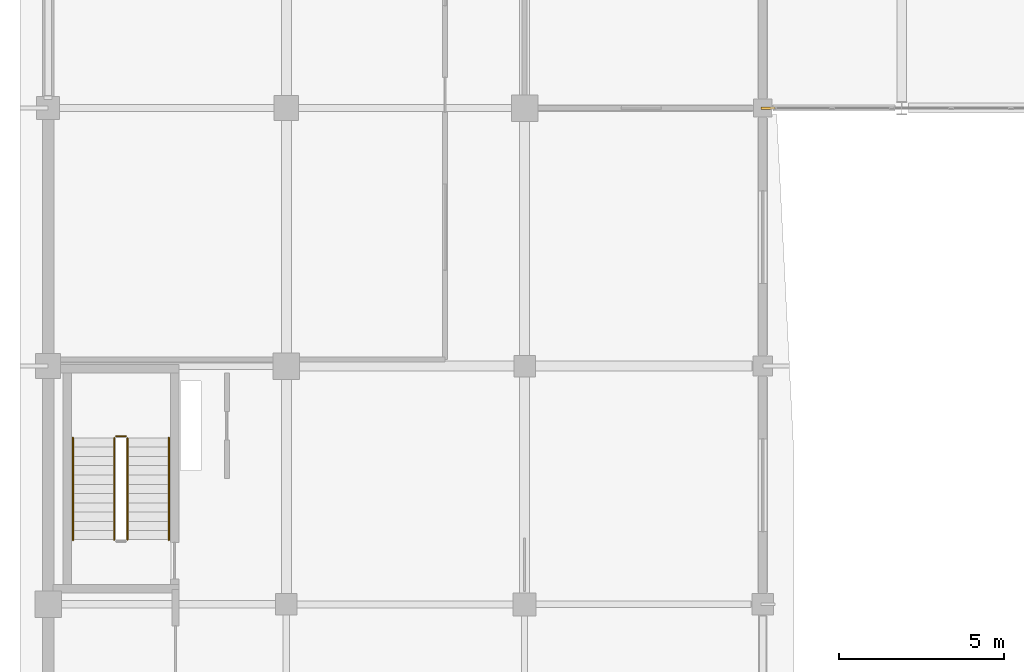
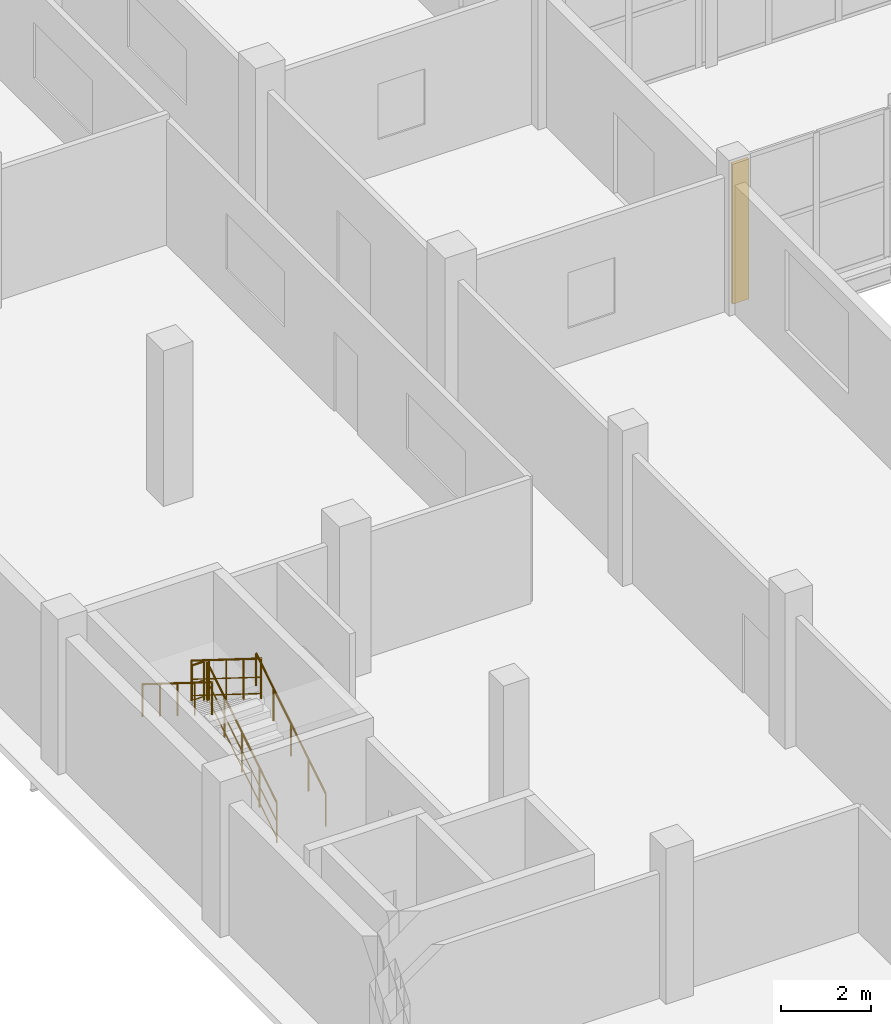
# One storey, part 116 of 121: 5 railings, 1 shading device.
"""IFC4 building model written with IfcOpenShell, lengths in metres."""

from ifc_helpers import new_model, si_unit, direction, frame, origin, origin_2d, place, context, subcontext, project, spatial, rectangle, circle, extrude, material, type_object, element, save


model = new_model("IFC4")

# Units and contexts
model_context = context("Model", 3, precision=1e-05, world=origin(), true_north=direction((0.0, 1.0)))
body_context = subcontext(model_context, "Body", "Model", "MODEL_VIEW")
ifc_project = project(units=[si_unit("LENGTHUNIT", "METRE"), si_unit("AREAUNIT", "SQUARE_METRE"), si_unit("VOLUMEUNIT", "CUBIC_METRE"), si_unit("PLANEANGLEUNIT", "RADIAN"), si_unit("MASSUNIT", "GRAM", prefix="KILO")], contexts=[model_context])

# Site, building, storey
site_placement = place(None, origin())
site = spatial("IfcSite", under=ifc_project, at=site_placement, CompositionType="ELEMENT")
building_placement = place(site_placement, origin())
building = spatial("IfcBuilding", under=site, at=building_placement, Name="Vinh Khe Railworks Police Headquarters", CompositionType="ELEMENT")
storey_placement = place(building_placement, frame((0.0, 0.0, 4.800048828125)))
storey = spatial("IfcBuildingStorey", under=building, at=storey_placement, Name="L01", CompositionType="ELEMENT", Elevation=4.800048828125)

# Railings
ifc_material_1 = material(Name="Painted tubular steel", Category="steel")
railing_type_1 = type_object("IfcRailingType", Name="RL-GUARD-1100", PredefinedType="GUARDRAIL", material=ifc_material_1)
railing_1_placement = place(storey_placement, frame((3.0, 82.949951171875, 0.175048828125)))
element("IfcRailing", 1, at=railing_1_placement, inside=storey, type_object=railing_type_1, Name="L01 ST-02 stair guard 1", PredefinedType="GUARDRAIL", context=body_context, shape_type="SweptSolid", body=[
    extrude(circle(Radius=0.02392578125, at=origin_2d()), frame((0.0, 0.0, 1.076171875), z_axis=(0.0, 0.848028513186, 0.529950602248), x_axis=(-1.0, 0.0, 0.0)), (0.0, 0.0, 1.0), 3.632080078125),
    extrude(circle(Radius=0.01416015625, at=origin_2d()), frame((0.0, 0.0, 0.132080078125), z_axis=(0.0, 0.848028513186, 0.529950602248), x_axis=(-1.0, 0.0, 0.0)), (0.0, 0.0, 1.0), 3.632080078125),
    extrude(circle(Radius=0.01416015625, at=origin_2d()), frame((0.0, 0.0, 0.572021484375), z_axis=(0.0, 0.848028513186, 0.529950602248), x_axis=(-1.0, 0.0, 0.0)), (0.0, 0.0, 1.0), 3.632080078125),
    extrude(circle(Radius=0.02099609375, at=origin_2d()), origin(), (0.0, 0.0, 1.0), 1.052001953125),
    extrude(circle(Radius=0.02099609375, at=origin_2d()), frame((0.0, 0.77001953125, 0.481201171875)), (0.0, 0.0, 1.0), 1.052001953125),
    extrude(circle(Radius=0.02099609375, at=origin_2d()), frame((0.0, 1.5400390625, 0.96240234375)), (0.0, 0.0, 1.0), 1.052001953125),
    extrude(circle(Radius=0.02099609375, at=origin_2d()), frame((0.0, 2.31005859375, 1.443603515625)), (0.0, 0.0, 1.0), 1.052001953125),
    extrude(circle(Radius=0.02099609375, at=origin_2d()), frame((0.0, 3.080078125, 1.9248046875)), (0.0, 0.0, 1.0), 1.052001953125),
])
railing_2_placement = place(storey_placement, frame((2.949951171875, 86.080078125, 2.099853515625)))
element("IfcRailing", 2, at=railing_2_placement, inside=storey, type_object=railing_type_1, Name="L01 ST-02 stair guard 2", PredefinedType="GUARDRAIL", context=body_context, shape_type="SweptSolid", body=[
    extrude(circle(Radius=0.02392578125, at=origin_2d()), frame((0.0, 0.0, 1.076171875), z_axis=(-1.0, 0.0, 0.0), x_axis=(0.0, -1.0, 0.0)), (0.0, 0.0, 1.0), 0.300048828125),
    extrude(circle(Radius=0.01416015625, at=origin_2d()), frame((0.0, 0.0, 0.132080078125), z_axis=(-1.0, 0.0, 0.0), x_axis=(0.0, -1.0, 0.0)), (0.0, 0.0, 1.0), 0.300048828125),
    extrude(circle(Radius=0.01416015625, at=origin_2d()), frame((0.0, 0.0, 0.572021484375), z_axis=(-1.0, 0.0, 0.0), x_axis=(0.0, -1.0, 0.0)), (0.0, 0.0, 1.0), 0.300048828125),
    extrude(circle(Radius=0.02099609375, at=origin_2d()), origin(), (0.0, 0.0, 1.0), 1.052001953125),
    extrude(circle(Radius=0.02099609375, at=origin_2d()), frame((-0.300048828125, 0.0, 0.0)), (0.0, 0.0, 1.0), 1.052001953125),
])
railing_3_placement = place(storey_placement, frame((2.60009765625, 86.030029296875, 2.27490234375)))
element("IfcRailing", 3, at=railing_3_placement, inside=storey, type_object=railing_type_1, Name="L01 ST-02 stair guard 3", PredefinedType="GUARDRAIL", context=body_context, shape_type="SweptSolid", body=[
    extrude(circle(Radius=0.02392578125, at=origin_2d()), frame((0.0, 0.0, 1.076171875), z_axis=(0.0, -0.847998304005, 0.529998940003), x_axis=(1.0, 0.0, 0.0)), (0.0, 0.0, 1.0), 3.632080078125),
    extrude(circle(Radius=0.01416015625, at=origin_2d()), frame((0.0, 0.0, 0.132080078125), z_axis=(0.0, -0.847998304005, 0.529998940003), x_axis=(1.0, 0.0, 0.0)), (0.0, 0.0, 1.0), 3.632080078125),
    extrude(circle(Radius=0.01416015625, at=origin_2d()), frame((0.0, 0.0, 0.572021484375), z_axis=(0.0, -0.847998304005, 0.529998940003), x_axis=(1.0, 0.0, 0.0)), (0.0, 0.0, 1.0), 3.632080078125),
    extrude(circle(Radius=0.02099609375, at=origin_2d()), origin(), (0.0, 0.0, 1.0), 1.052001953125),
    extrude(circle(Radius=0.02099609375, at=origin_2d()), frame((0.0, -0.77001953125, 0.481201171875)), (0.0, 0.0, 1.0), 1.052001953125),
    extrude(circle(Radius=0.02099609375, at=origin_2d()), frame((0.0, -1.5400390625, 0.96240234375)), (0.0, 0.0, 1.0), 1.052001953125),
    extrude(circle(Radius=0.02099609375, at=origin_2d()), frame((0.0, -2.31005859375, 1.44384765625)), (0.0, 0.0, 1.0), 1.052001953125),
    extrude(circle(Radius=0.02099609375, at=origin_2d()), frame((0.0, -3.080078125, 1.925048828125)), (0.0, 0.0, 1.0), 1.052001953125),
])
ifc_material_2 = material(Name="Brushed stainless steel", Category="steel")
railing_type_2 = type_object("IfcRailingType", Name="RL-HAND-900", PredefinedType="HANDRAIL", material=ifc_material_2)
railing_4_placement = place(storey_placement, frame((4.25, 82.949951171875, 0.175048828125)))
element("IfcRailing", 4, at=railing_4_placement, inside=storey, type_object=railing_type_2, Name="L01 ST-02 stair handrail 1", PredefinedType="HANDRAIL", context=body_context, shape_type="SweptSolid", body=[
    extrude(circle(Radius=0.02392578125, at=origin_2d()), frame((0.0, 0.0, 0.8759765625), z_axis=(0.0, 0.848028513186, 0.529950602248), x_axis=(-1.0, 0.0, 0.0)), (0.0, 0.0, 1.0), 3.632080078125),
    extrude(circle(Radius=0.02099609375, at=origin_2d()), origin(), (0.0, 0.0, 1.0), 0.851806640625),
    extrude(circle(Radius=0.02099609375, at=origin_2d()), frame((0.0, 0.77001953125, 0.481201171875)), (0.0, 0.0, 1.0), 0.851806640625),
    extrude(circle(Radius=0.02099609375, at=origin_2d()), frame((0.0, 1.5400390625, 0.96240234375)), (0.0, 0.0, 1.0), 0.851806640625),
    extrude(circle(Radius=0.02099609375, at=origin_2d()), frame((0.0, 2.31005859375, 1.443603515625)), (0.0, 0.0, 1.0), 0.851806640625),
    extrude(circle(Radius=0.02099609375, at=origin_2d()), frame((0.0, 3.080078125, 1.9248046875)), (0.0, 0.0, 1.0), 0.851806640625),
])
railing_5_placement = place(storey_placement, frame((1.35009765625, 86.030029296875, 2.27490234375)))
element("IfcRailing", 5, at=railing_5_placement, inside=storey, type_object=railing_type_2, Name="L01 ST-02 stair handrail 2", PredefinedType="HANDRAIL", context=body_context, shape_type="SweptSolid", body=[
    extrude(circle(Radius=0.02392578125, at=origin_2d()), frame((0.0, 0.0, 0.8759765625), z_axis=(0.0, -0.847998304005, 0.529998940003), x_axis=(1.0, 0.0, 0.0)), (0.0, 0.0, 1.0), 3.632080078125),
    extrude(circle(Radius=0.02099609375, at=origin_2d()), origin(), (0.0, 0.0, 1.0), 0.851806640625),
    extrude(circle(Radius=0.02099609375, at=origin_2d()), frame((0.0, -0.77001953125, 0.481201171875)), (0.0, 0.0, 1.0), 0.851806640625),
    extrude(circle(Radius=0.02099609375, at=origin_2d()), frame((0.0, -1.5400390625, 0.96240234375)), (0.0, 0.0, 1.0), 0.851806640625),
    extrude(circle(Radius=0.02099609375, at=origin_2d()), frame((0.0, -2.31005859375, 1.44384765625)), (0.0, 0.0, 1.0), 0.851806640625),
    extrude(circle(Radius=0.02099609375, at=origin_2d()), frame((0.0, -3.080078125, 1.925048828125)), (0.0, 0.0, 1.0), 0.851806640625),
])

# Shading device
ifc_material_3 = material(Name="Salvaged ironwood timber", Category="wood")
shading_device_type = type_object("IfcShadingDeviceType", Name="SHD-MSF-01", PredefinedType="JALOUSIE", material=ifc_material_3)
shading_device_placement = place(storey_placement, frame((22.360107421875, 96.0, 0.10009765625), z_axis=(0.0, 0.0, 1.0), x_axis=(1.0, 0.0, 0.0)))
element("IfcShadingDevice", 6, at=shading_device_placement, inside=storey, type_object=shading_device_type, Name="Monsoon Court Solar Fin V5 L01-6", PredefinedType="JALOUSIE", context=body_context, shape_type="SweptSolid", body=[
    extrude(rectangle(XDim=0.419921875, YDim=0.080078125, at=origin_2d()), origin(), (0.0, 0.0, 1.0), 3.780029296875),
])

save(model, "model.ifc")
